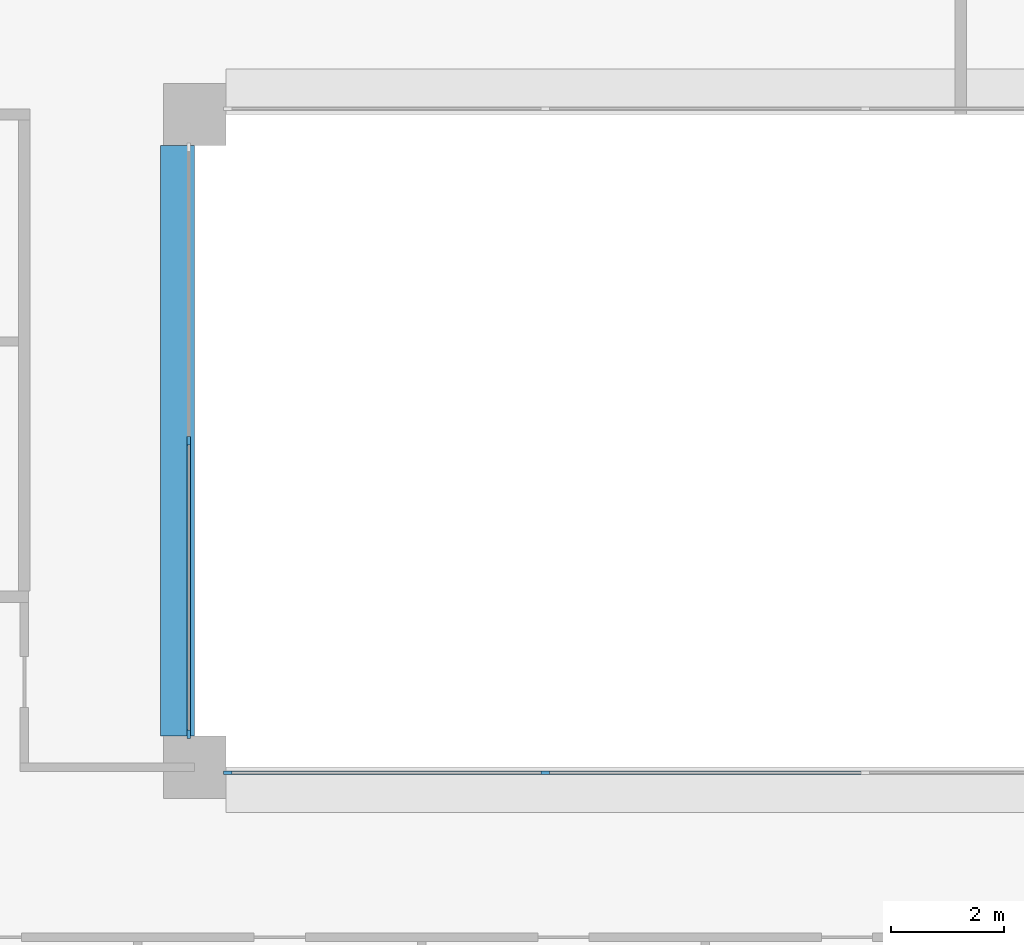
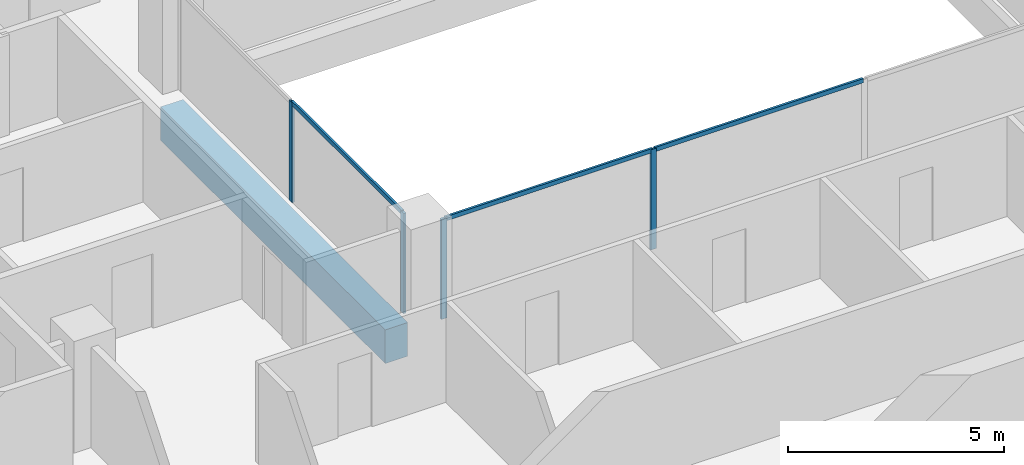
# One storey, part 2 of 16: 7 members, 1 beam, 2 elements without a shape of their own.
"""IFC4 building model written with IfcOpenShell, lengths in metres."""

from ifc_helpers import new_model, si_unit, direction, frame, origin, origin_2d, place, context, subcontext, project, spatial, rectangle, extrude, material, layer, layer_set, material_profile, profile_set, type_object, element, aggregate, save


model = new_model("IFC4")

# Units and contexts
model_context = context("Model", 3, precision=1e-05, world=origin(), true_north=direction((0.0, 1.0)))
body_context = subcontext(model_context, "Body", "Model", "MODEL_VIEW")
ifc_project = project(units=[si_unit("LENGTHUNIT", "METRE"), si_unit("AREAUNIT", "SQUARE_METRE"), si_unit("VOLUMEUNIT", "CUBIC_METRE"), si_unit("PLANEANGLEUNIT", "RADIAN"), si_unit("MASSUNIT", "GRAM", prefix="KILO")], contexts=[model_context])

# Site, building, storey
site_placement = place(None, origin())
site = spatial("IfcSite", under=ifc_project, at=site_placement, CompositionType="ELEMENT")
building_placement = place(site_placement, origin())
building = spatial("IfcBuilding", under=site, at=building_placement, Name="Brigalow Station Residences", CompositionType="ELEMENT")
storey_placement = place(building_placement, frame((0.0, 0.0, 179.10009765625)))
storey = spatial("IfcBuildingStorey", under=building, at=storey_placement, Name="L52", CompositionType="ELEMENT", Elevation=179.10009765625)

# Beam
ifc_material_1 = material(Name="Concrete C65", Category="concrete")
ifc_material_profile_1 = material_profile(ifc_material_1, rectangle(XDim=0.60009765625, YDim=0.949951171875, at=origin_2d()), Name="RC600x950")
ifc_profile_set_1 = profile_set([ifc_material_profile_1], Name="Concrete C65")
beam_type = type_object("IfcBeamType", Name="ATRIUM EDGE GIRDER 600x950 C65", PredefinedType="BEAM", material=ifc_profile_set_1)
beam_placement = place(storey_placement, frame((26.699951171875, 24.550048828125, -0.795166015625), z_axis=(0.0, 1.0, 0.0), x_axis=(-1.0, 0.0, 0.0)))
element("IfcBeam", 1, at=beam_placement, inside=storey, type_object=beam_type, Name="ATRIUM EDGE GIRDER 3 L52", PredefinedType="BEAM", context=body_context, shape_type="SweptSolid", body=[
    extrude(rectangle(XDim=0.60009765625, YDim=0.949951171875, at=origin_2d()), origin(), (0.0, 0.0, 1.0), 10.39990234375),
])

# Curtain wall, members
ifc_material_2 = material(Name="Aluminium", Category="aluminium")
ifc_layer = layer(ifc_material_2, 0.14990234375)
ifc_layer_set = layer_set([ifc_layer], Name="ATRIUM FIRE-RATED GLAZING CURTAIN WALL")
curtain_wall_type = type_object("IfcCurtainWallType", Name="ATRIUM FIRE-RATED GLAZING CURTAIN WALL", PredefinedType="NOTDEFINED", material=ifc_layer_set)
curtain_wall_1_placement = place(storey_placement, origin())
curtain_wall_1 = element("IfcCurtainWall", 2, at=curtain_wall_1_placement, inside=storey, type_object=curtain_wall_type, Name="L52/cw/atrium-S", PredefinedType="NOTDEFINED")
ifc_material_3 = material(Name="Aluminium", Category="aluminium")
ifc_material_profile_2 = material_profile(ifc_material_3, rectangle(XDim=0.06005859375, YDim=0.14990234375, at=origin_2d()), Name="ATRIUM FIRE-RATED GLAZING MULLION 60x150")
ifc_profile_set_2 = profile_set([ifc_material_profile_2], Name="Aluminium")
member_type_1 = type_object("IfcMemberType", Name="ATRIUM FIRE-RATED GLAZING MULLION 60x150", PredefinedType="MULLION", material=ifc_profile_set_2)
member_1_placement = place(storey_placement, frame((27.580078125, 23.89990234375, 0.0), z_axis=(0.0, 0.0, 1.0), x_axis=(0.0, 1.0, 0.0)))
member_1 = element("IfcMember", 3, at=member_1_placement, type_object=member_type_1, Name="L52/cw/atrium-S/M00", PredefinedType="MULLION", context=body_context, shape_type="SweptSolid", body=[
    extrude(rectangle(XDim=0.06005859375, YDim=0.14990234375, at=origin_2d()), origin(), (0.0, 0.0, 1.0), 2.829833984375),
])
member_2_placement = place(storey_placement, frame((33.183349609375, 23.89990234375, 0.0), z_axis=(0.0, 0.0, 1.0), x_axis=(0.0, 1.0, 0.0)))
member_2 = element("IfcMember", 4, at=member_2_placement, type_object=member_type_1, Name="L52/cw/atrium-S/M01", PredefinedType="MULLION", context=body_context, shape_type="SweptSolid", body=[
    extrude(rectangle(XDim=0.06005859375, YDim=0.14990234375, at=origin_2d()), origin(), (0.0, 0.0, 1.0), 2.829833984375),
])

curtain_wall_2_placement = place(storey_placement, origin())
curtain_wall_2 = element("IfcCurtainWall", 5, at=curtain_wall_2_placement, inside=storey, type_object=curtain_wall_type, Name="L52/cw/atrium-W", PredefinedType="NOTDEFINED")
member_3_placement = place(storey_placement, frame((26.89990234375, 29.75, 0.0), z_axis=(0.0, 0.0, 1.0), x_axis=(1.0, 0.0, 0.0)))
member_3 = element("IfcMember", 6, at=member_3_placement, type_object=member_type_1, Name="L52/cw/atrium-W/M01", PredefinedType="MULLION", context=body_context, shape_type="SweptSolid", body=[
    extrude(rectangle(XDim=0.06005859375, YDim=0.14990234375, at=origin_2d()), origin(), (0.0, 0.0, 1.0), 2.829833984375),
])
member_4_placement = place(storey_placement, frame((26.89990234375, 24.580078125, 0.0), z_axis=(0.0, 0.0, 1.0), x_axis=(1.0, 0.0, 0.0)))
member_4 = element("IfcMember", 7, at=member_4_placement, type_object=member_type_1, Name="L52/cw/atrium-W/M02", PredefinedType="MULLION", context=body_context, shape_type="SweptSolid", body=[
    extrude(rectangle(XDim=0.06005859375, YDim=0.14990234375, at=origin_2d()), origin(), (0.0, 0.0, 1.0), 2.829833984375),
])

# Member
ifc_material_4 = material(Name="Aluminium", Category="aluminium")
ifc_material_profile_3 = material_profile(ifc_material_4, rectangle(XDim=0.06005859375, YDim=0.1201171875, at=origin_2d()), Name="ATRIUM FIRE-RATED GLAZING TRANSOM 60x120")
ifc_profile_set_3 = profile_set([ifc_material_profile_3], Name="Aluminium")
member_type_2 = type_object("IfcMemberType", Name="ATRIUM FIRE-RATED GLAZING TRANSOM 60x120", PredefinedType="USERDEFINED", material=ifc_profile_set_3)
member_5_placement = place(storey_placement, frame((27.610107421875, 23.89990234375, 2.7998046875), z_axis=(1.0, 0.0, 0.0), x_axis=(0.0, 1.0, 0.0)))
member_5 = element("IfcMember", 8, at=member_5_placement, type_object=member_type_2, Name="L52/cw/atrium-S/T00-00", ObjectType="TRANSOM", PredefinedType="USERDEFINED", context=body_context, shape_type="SweptSolid", body=[
    extrude(rectangle(XDim=0.06005859375, YDim=0.1201171875, at=origin_2d()), origin(), (0.0, 0.0, 1.0), 5.543212890625),
])

member_6_placement = place(storey_placement, frame((33.21337890625, 23.89990234375, 2.7998046875), z_axis=(1.0, 0.0, 0.0), x_axis=(0.0, 1.0, 0.0)))
member_6 = element("IfcMember", 9, at=member_6_placement, type_object=member_type_2, Name="L52/cw/atrium-S/T01-00", ObjectType="TRANSOM", PredefinedType="USERDEFINED", context=body_context, shape_type="SweptSolid", body=[
    extrude(rectangle(XDim=0.06005859375, YDim=0.1201171875, at=origin_2d()), origin(), (0.0, 0.0, 1.0), 5.5732421875),
])

aggregate(curtain_wall_1, [member_1, member_2, member_5, member_6])

member_7_placement = place(storey_placement, frame((26.89990234375, 29.719970703125, 2.7998046875), z_axis=(0.0, -1.0, 0.0), x_axis=(1.0, 0.0, 0.0)))
member_7 = element("IfcMember", 10, at=member_7_placement, type_object=member_type_2, Name="L52/cw/atrium-W/T01-00", ObjectType="TRANSOM", PredefinedType="USERDEFINED", context=body_context, shape_type="SweptSolid", body=[
    extrude(rectangle(XDim=0.06005859375, YDim=0.1201171875, at=origin_2d()), origin(), (0.0, 0.0, 1.0), 5.10986328125),
])

aggregate(curtain_wall_2, [member_3, member_4, member_7])

save(model, "model.ifc")
